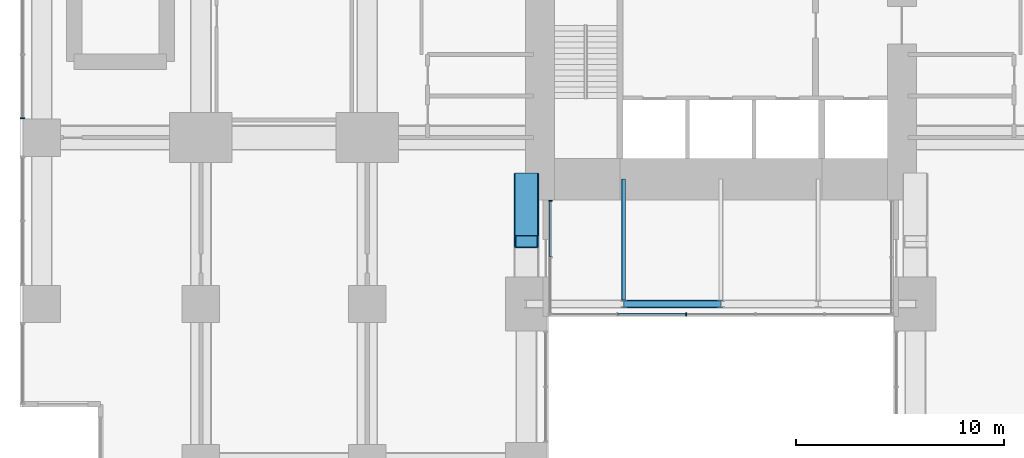
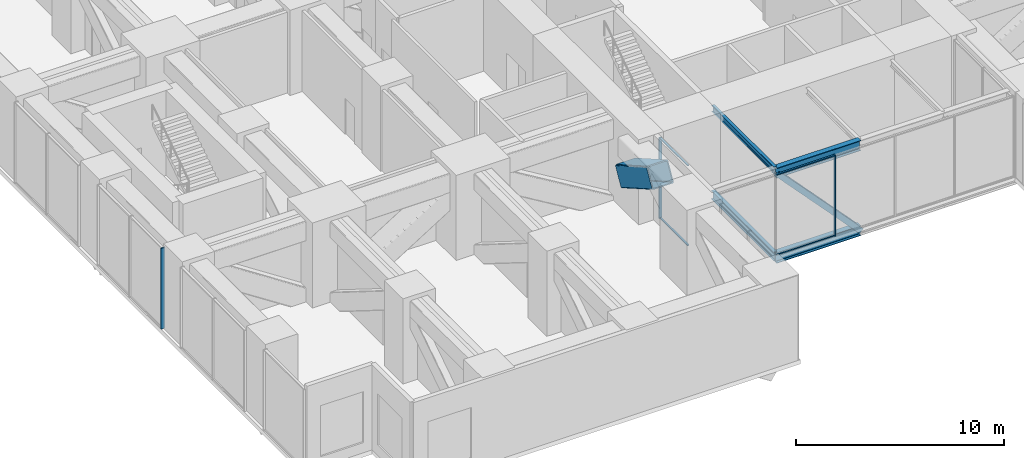
# One storey, part 3 of 19: 9 members, 4 beams, 3 elements without a shape of their own.
"""IFC4 building model written with IfcOpenShell, lengths in metres."""

from ifc_helpers import new_model, si_unit, direction, frame, origin, origin_2d, place, context, subcontext, project, spatial, rectangle, hollow_rectangle, i_section, extrude, material, layer, layer_set, material_profile, profile_set, type_object, element, aggregate, save


model = new_model("IFC4")

# Units and contexts
model_context = context("Model", 3, precision=1e-05, world=origin(), true_north=direction((0.0, 1.0)))
body_context = subcontext(model_context, "Body", "Model", "MODEL_VIEW")
ifc_project = project(units=[si_unit("LENGTHUNIT", "METRE"), si_unit("AREAUNIT", "SQUARE_METRE"), si_unit("VOLUMEUNIT", "CUBIC_METRE"), si_unit("PLANEANGLEUNIT", "RADIAN"), si_unit("MASSUNIT", "GRAM", prefix="KILO")], contexts=[model_context])

# Site, building, storey
site_placement = place(None, origin())
site = spatial("IfcSite", under=ifc_project, at=site_placement, CompositionType="ELEMENT")
building_placement = place(site_placement, origin())
building = spatial("IfcBuilding", under=site, at=building_placement, Name="Cleftline Residences", CompositionType="ELEMENT")
storey_placement = place(building_placement, frame((0.0, 0.0, 177.199951171875)))
storey = spatial("IfcBuildingStorey", under=building, at=storey_placement, Name="L46", CompositionType="ELEMENT", Elevation=177.199951171875)

# Beams
ifc_material_1 = material(Name="Steel S355", Category="steel")
ifc_material_profile_1 = material_profile(ifc_material_1, i_section(OverallWidth=0.169921875, OverallDepth=0.360107421875, WebThickness=0.008056640625, FlangeThickness=0.0126953125, FilletRadius=0.01806640625, at=origin_2d()))
ifc_profile_set_1 = profile_set([ifc_material_profile_1], Name="Steel S355")
beam_type_1 = type_object("IfcBeamType", Name="BEAM IPE 360", PredefinedType="BEAM", material=ifc_profile_set_1)
beam_1_placement = place(storey_placement, frame((28.324951171875, 8.0, 4.6201171875), z_axis=(0.0, 1.0, 0.0), x_axis=(-1.0, 0.0, 0.0)))
element("IfcBeam", 1, at=beam_1_placement, inside=storey, type_object=beam_type_1, Name="Bridge roof beam", PredefinedType="BEAM", context=body_context, shape_type="SweptSolid", body=[
    extrude(i_section(OverallWidth=0.169921875, OverallDepth=0.360107421875, WebThickness=0.008056640625, FlangeThickness=0.0126953125, FilletRadius=0.01806640625, at=origin_2d()), origin(), (0.0, 0.0, 1.0), 6.0),
])
ifc_material_2 = material(Name="Steel S355", Category="steel")
ifc_material_profile_2 = material_profile(ifc_material_2, i_section(OverallWidth=0.199951171875, OverallDepth=0.5, WebThickness=0.01025390625, FlangeThickness=0.01611328125, FilletRadius=0.02099609375, at=origin_2d()))
ifc_profile_set_2 = profile_set([ifc_material_profile_2], Name="Steel S355")
beam_type_2 = type_object("IfcBeamType", Name="BEAM IPE 500", PredefinedType="BEAM", material=ifc_profile_set_2)
beam_2_placement = place(storey_placement, frame((28.324951171875, 8.0, -0.449951171875), z_axis=(0.0, 1.0, 0.0), x_axis=(-1.0, 0.0, 0.0)))
element("IfcBeam", 2, at=beam_2_placement, inside=storey, type_object=beam_type_2, Name="Bridge floor beam", PredefinedType="BEAM", context=body_context, shape_type="SweptSolid", body=[
    extrude(i_section(OverallWidth=0.199951171875, OverallDepth=0.5, WebThickness=0.01025390625, FlangeThickness=0.01611328125, FilletRadius=0.02099609375, at=origin_2d()), origin(), (0.0, 0.0, 1.0), 6.0),
])

# Members
ifc_material_3 = material(Name="Steel S355", Category="steel")
ifc_material_profile_3 = material_profile(ifc_material_3, hollow_rectangle(XDim=1.199951171875, YDim=1.199951171875, WallThickness=0.06005859375, InnerFilletRadius=0.06005859375, OuterFilletRadius=0.090087890625, at=origin_2d()))
ifc_profile_set_3 = profile_set([ifc_material_profile_3], Name="Steel S355")
member_type_1 = type_object("IfcMemberType", Name="BRACE BOX 1200X1200X60", PredefinedType="BRACE", material=ifc_profile_set_3)
member_1_placement = place(storey_placement, frame((23.64990234375, 14.0, 2.43115234375), z_axis=(0.0, -0.867655928929, 0.497165152636), x_axis=(0.0, 0.497165152636, 0.867655928929)))
element("IfcMember", 3, at=member_1_placement, inside=storey, type_object=member_type_1, Name="Outrigger truss diagonal", PredefinedType="BRACE", context=body_context, shape_type="SweptSolid", body=[
    extrude(hollow_rectangle(XDim=1.199951171875, YDim=1.199951171875, WallThickness=0.06005859375, InnerFilletRadius=0.06005859375, OuterFilletRadius=0.090087890625, at=origin_2d()), origin(), (0.0, 0.0, 1.0), 3.45751953125),
])
ifc_material_4 = material(Name="Steel S355", Category="steel")
ifc_material_profile_4 = material_profile(ifc_material_4, i_section(OverallWidth=0.300048828125, OverallDepth=0.39990234375, WebThickness=0.013427734375, FlangeThickness=0.02392578125, FilletRadius=0.027099609375, at=origin_2d()))
ifc_profile_set_4 = profile_set([ifc_material_profile_4], Name="Steel S355")
member_type_2 = type_object("IfcMemberType", Name="BRACE HEB 400", PredefinedType="BRACE", material=ifc_profile_set_4)
member_2_placement = place(storey_placement, frame((28.324951171875, 8.0, 4.5), z_axis=(0.682972422419, 0.0, -0.730444159546), x_axis=(0.730444159546, 0.0, 0.682972422419)))
element("IfcMember", 4, at=member_2_placement, inside=storey, type_object=member_type_2, Name="Sky bridge truss diagonal", PredefinedType="BRACE", context=body_context, shape_type="SweptSolid", body=[
    extrude(i_section(OverallWidth=0.300048828125, OverallDepth=0.39990234375, WebThickness=0.013427734375, FlangeThickness=0.02392578125, FilletRadius=0.027099609375, at=origin_2d()), origin(), (0.0, 0.0, 1.0), 6.84521484375),
])

# Beams
ifc_material_5 = material(Name="Steel S355", Category="steel")
ifc_material_profile_5 = material_profile(ifc_material_5, i_section(OverallWidth=0.300048828125, OverallDepth=0.60009765625, WebThickness=0.015380859375, FlangeThickness=0.030029296875, FilletRadius=0.027099609375, at=origin_2d()))
ifc_profile_set_5 = profile_set([ifc_material_profile_5], Name="Steel S355")
beam_type_3 = type_object("IfcBeamType", Name="BRIDGE CHORD HEB 600", PredefinedType="BEAM", material=ifc_profile_set_5)
for number, where, z_axis, x_axis, name in (
    (5, (28.324951171875, 8.0, -0.5), (1.0, 0.0, 0.0), (0.0, 1.0, 0.0), "Sky bridge truss bottom chord"),
    (6, (28.324951171875, 8.0, 4.5), (1.0, 0.0, 0.0), (0.0, 1.0, 0.0), "Sky bridge truss top chord"),
):
    element("IfcBeam", number, at=place(storey_placement, frame(where, z_axis=z_axis, x_axis=x_axis)), inside=storey, type_object=beam_type_3, Name=name, PredefinedType="BEAM", context=body_context, shape_type="SweptSolid", body=[
        extrude(i_section(OverallWidth=0.300048828125, OverallDepth=0.60009765625, WebThickness=0.015380859375, FlangeThickness=0.030029296875, FilletRadius=0.027099609375, at=origin_2d()), origin(), (0.0, 0.0, 1.0), 4.675048828125),
    ])

# Curtain wall, member
ifc_material_6 = material(Name="Aluminium framed curtain wall", Category="aluminium")
ifc_layer_1 = layer(ifc_material_6, 0.199951171875)
ifc_layer_set_1 = layer_set([ifc_layer_1], Name="CW3 BRIDGE GLAZING")
curtain_wall_type_1 = type_object("IfcCurtainWallType", Name="CW3 BRIDGE GLAZING", PredefinedType="NOTDEFINED", material=ifc_layer_set_1)
curtain_wall_1_placement = place(storey_placement, origin())
curtain_wall_1 = element("IfcCurtainWall", 7, at=curtain_wall_1_placement, inside=storey, type_object=curtain_wall_type_1, Name="Curtain wall CW3", PredefinedType="NOTDEFINED")
ifc_material_7 = material(Name="Aluminium mullion", Category="aluminium")
ifc_material_profile_6 = material_profile(ifc_material_7, rectangle(XDim=0.159912109375, YDim=0.06005859375, at=origin_2d()))
ifc_profile_set_6 = profile_set([ifc_material_profile_6], Name="Aluminium mullion")
member_type_3 = type_object("IfcMemberType", Name="CW3 MULLION", PredefinedType="MULLION", material=ifc_profile_set_6)
member_3_placement = place(storey_placement, frame((31.340087890625, 7.5, 0.0), z_axis=(0.0, 0.0, 1.0), x_axis=(0.0, 1.0, 0.0)))
member_3 = element("IfcMember", 8, at=member_3_placement, type_object=member_type_3, Name="CW3 mullion 3", PredefinedType="MULLION", context=body_context, shape_type="SweptSolid", body=[
    extrude(rectangle(XDim=0.159912109375, YDim=0.06005859375, at=origin_2d()), origin(), (0.0, 0.0, 1.0), 4.75),
])

curtain_wall_2_placement = place(storey_placement, origin())
curtain_wall_2 = element("IfcCurtainWall", 9, at=curtain_wall_2_placement, inside=storey, type_object=curtain_wall_type_1, Name="Curtain wall CW3", PredefinedType="NOTDEFINED")
member_4_placement = place(storey_placement, frame((24.800048828125, 12.969970703125, 0.0), z_axis=(0.0, 0.0, 1.0), x_axis=(-1.0, 0.0, 0.0)))
member_4 = element("IfcMember", 10, at=member_4_placement, type_object=member_type_3, Name="CW3 mullion 3", PredefinedType="MULLION", context=body_context, shape_type="SweptSolid", body=[
    extrude(rectangle(XDim=0.159912109375, YDim=0.06005859375, at=origin_2d()), origin(), (0.0, 0.0, 1.0), 4.75),
])

# Member
ifc_material_8 = material(Name="Aluminium transom", Category="aluminium")
ifc_material_profile_7 = material_profile(ifc_material_8, rectangle(XDim=0.095947265625, YDim=0.06005859375, at=origin_2d()))
ifc_profile_set_7 = profile_set([ifc_material_profile_7], Name="Aluminium transom")
member_type_4 = type_object("IfcMemberType", Name="CW3 TRANSOM", PredefinedType="USERDEFINED", material=ifc_profile_set_7)
member_5_placement = place(storey_placement, frame((28.050048828125, 7.5, 0.030029296875), z_axis=(1.0, 0.0, 0.0), x_axis=(0.0, 1.0, 0.0)))
member_5 = element("IfcMember", 11, at=member_5_placement, type_object=member_type_4, Name="CW3 transom 2.1", ObjectType="TRANSOM", PredefinedType="USERDEFINED", context=body_context, shape_type="SweptSolid", body=[
    extrude(rectangle(XDim=0.095947265625, YDim=0.06005859375, at=origin_2d()), origin(), (0.0, 0.0, 1.0), 3.260009765625),
])

member_6_placement = place(storey_placement, frame((28.050048828125, 7.5, 4.719970703125), z_axis=(1.0, 0.0, 0.0), x_axis=(0.0, 1.0, 0.0)))
member_6 = element("IfcMember", 12, at=member_6_placement, type_object=member_type_4, Name="CW3 transom 2.2", ObjectType="TRANSOM", PredefinedType="USERDEFINED", context=body_context, shape_type="SweptSolid", body=[
    extrude(rectangle(XDim=0.095947265625, YDim=0.06005859375, at=origin_2d()), origin(), (0.0, 0.0, 1.0), 3.260009765625),
])

aggregate(curtain_wall_1, [member_3, member_5, member_6])

member_7_placement = place(storey_placement, frame((24.800048828125, 10.280029296875, 0.030029296875), z_axis=(0.0, 1.0, 0.0), x_axis=(-1.0, 0.0, 0.0)))
member_7 = element("IfcMember", 13, at=member_7_placement, type_object=member_type_4, Name="CW3 transom 2.1", ObjectType="TRANSOM", PredefinedType="USERDEFINED", context=body_context, shape_type="SweptSolid", body=[
    extrude(rectangle(XDim=0.095947265625, YDim=0.06005859375, at=origin_2d()), origin(), (0.0, 0.0, 1.0), 2.659912109375),
])

member_8_placement = place(storey_placement, frame((24.800048828125, 10.280029296875, 4.719970703125), z_axis=(0.0, 1.0, 0.0), x_axis=(-1.0, 0.0, 0.0)))
member_8 = element("IfcMember", 14, at=member_8_placement, type_object=member_type_4, Name="CW3 transom 2.2", ObjectType="TRANSOM", PredefinedType="USERDEFINED", context=body_context, shape_type="SweptSolid", body=[
    extrude(rectangle(XDim=0.095947265625, YDim=0.06005859375, at=origin_2d()), origin(), (0.0, 0.0, 1.0), 2.659912109375),
])

aggregate(curtain_wall_2, [member_4, member_7, member_8])

# Curtain wall, member
ifc_material_9 = material(Name="Aluminium framed curtain wall", Category="aluminium")
ifc_layer_2 = layer(ifc_material_9, 0.199951171875)
ifc_layer_set_2 = layer_set([ifc_layer_2], Name="CW4 SKY LOUNGE GLAZING")
curtain_wall_type_2 = type_object("IfcCurtainWallType", Name="CW4 SKY LOUNGE GLAZING", PredefinedType="NOTDEFINED", material=ifc_layer_set_2)
curtain_wall_3_placement = place(storey_placement, origin())
curtain_wall_3 = element("IfcCurtainWall", 15, at=curtain_wall_3_placement, inside=storey, type_object=curtain_wall_type_2, Name="Curtain wall CW4", PredefinedType="NOTDEFINED")
ifc_material_10 = material(Name="Aluminium mullion", Category="aluminium")
ifc_material_profile_8 = material_profile(ifc_material_10, rectangle(XDim=0.219970703125, YDim=0.06494140625, at=origin_2d()))
ifc_profile_set_8 = profile_set([ifc_material_profile_8], Name="Aluminium mullion")
member_type_5 = type_object("IfcMemberType", Name="CW4 MULLION", PredefinedType="MULLION", material=ifc_profile_set_8)
member_9_placement = place(storey_placement, frame((-0.574951171875, 16.9326171875, 0.0), z_axis=(0.0, 0.0, 1.0), x_axis=(1.0, 0.0, 0.0)))
member_9 = element("IfcMember", 16, at=member_9_placement, type_object=member_type_5, Name="CW4 mullion 3", PredefinedType="MULLION", context=body_context, shape_type="SweptSolid", body=[
    extrude(rectangle(XDim=0.219970703125, YDim=0.06494140625, at=origin_2d()), origin(), (0.0, 0.0, 1.0), 4.75),
])
aggregate(curtain_wall_3, [member_9])

save(model, "model.ifc")
